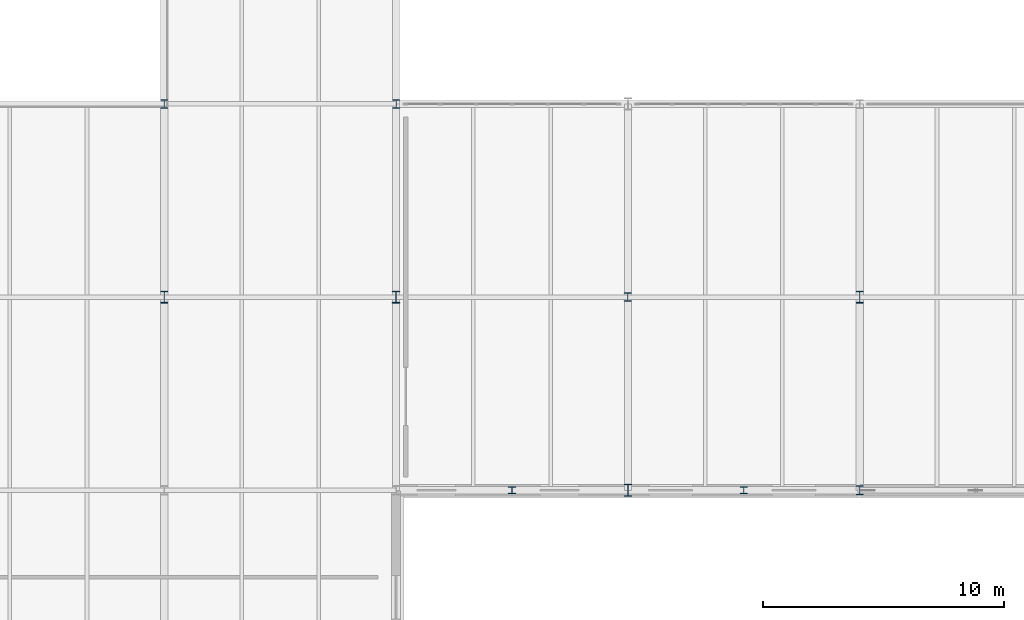
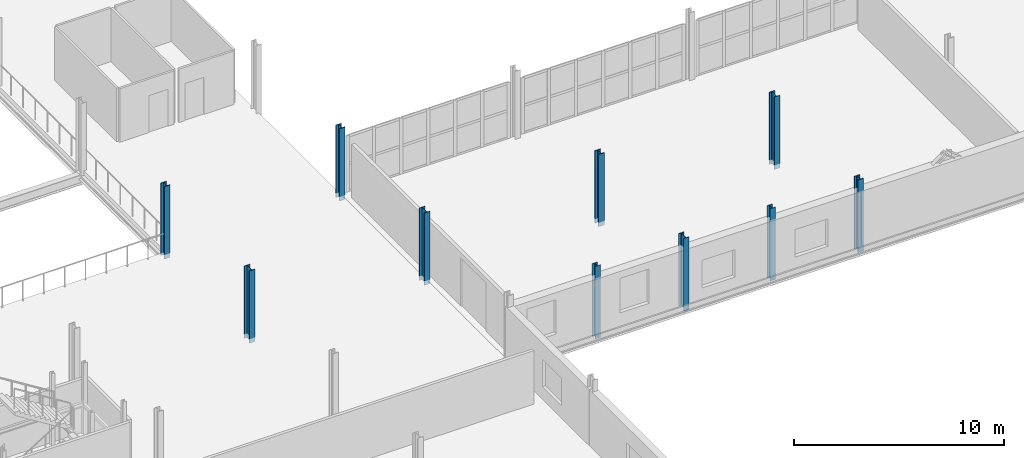
# One storey, part 9 of 78: 10 columns.
"""IFC4 building model written with IfcOpenShell, lengths in metres."""

from ifc_helpers import new_model, si_unit, direction, frame, origin, origin_2d, place, context, subcontext, project, spatial, i_section, extrude, material, material_profile, profile_set, type_object, element, save


model = new_model("IFC4")

# Units and contexts
model_context = context("Model", 3, precision=1e-05, world=origin(), true_north=direction((0.0, 1.0)))
body_context = subcontext(model_context, "Body", "Model", "MODEL_VIEW")
ifc_project = project(units=[si_unit("LENGTHUNIT", "METRE"), si_unit("AREAUNIT", "SQUARE_METRE"), si_unit("VOLUMEUNIT", "CUBIC_METRE"), si_unit("PLANEANGLEUNIT", "RADIAN"), si_unit("MASSUNIT", "GRAM", prefix="KILO")], contexts=[model_context])

# Site, building, storey
site_placement = place(None, origin())
site = spatial("IfcSite", under=ifc_project, at=site_placement, CompositionType="ELEMENT")
building_placement = place(site_placement, origin())
building = spatial("IfcBuilding", under=site, at=building_placement, Name="Alderhovde Museum", CompositionType="ELEMENT")
storey_placement = place(building_placement, frame((0.0, 0.0, 4.5)))
storey = spatial("IfcBuildingStorey", under=building, at=storey_placement, Name="L01", CompositionType="ELEMENT", Elevation=4.5)

# Columns
ifc_material_1 = material(Name="Steel S355J2", Category="steel")
ifc_material_profile_1 = material_profile(ifc_material_1, i_section(OverallWidth=0.300048828125, OverallDepth=0.5, WebThickness=0.014404296875, FlangeThickness=0.028076171875, FilletRadius=0.027099609375, at=origin_2d()), Name="HEB 500")
ifc_profile_set_1 = profile_set([ifc_material_profile_1], Name="Steel S355J2")
column_type_1 = type_object("IfcColumnType", Name="COL-HEB500", PredefinedType="COLUMN", material=ifc_profile_set_1)
for number, where, z_axis, x_axis, name in (
    (1, (105.60009765625, 40.0, -0.260009765625), (0.0, 0.0, 1.0), (1.0, 0.0, 0.0), "L01 Column (105.6, 40.0)"),
    (2, (115.199951171875, 40.0, -0.260009765625), (0.0, 0.0, 1.0), (1.0, 0.0, 0.0), "L01 Column (115.2, 40.0)"),
    (3, (124.800048828125, 32.0, -0.260009765625), (0.0, 0.0, 1.0), (1.0, 0.0, 0.0), "L01 Column (124.8, 32.0)"),
    (4, (134.39990234375, 40.0, -0.260009765625), (0.0, 0.0, 1.0), (1.0, 0.0, 0.0), "L01 Column (134.4, 40.0)"),
):
    element("IfcColumn", number, at=place(storey_placement, frame(where, z_axis=z_axis, x_axis=x_axis)), inside=storey, type_object=column_type_1, Name=name, PredefinedType="COLUMN", context=body_context, shape_type="SweptSolid", body=[
        extrude(i_section(OverallWidth=0.300048828125, OverallDepth=0.5, WebThickness=0.014404296875, FlangeThickness=0.028076171875, FilletRadius=0.027099609375, at=origin_2d()), origin(), (0.0, 0.0, 1.0), 4.199951171875),
    ])
ifc_material_2 = material(Name="Steel S355J2", Category="steel")
ifc_material_profile_2 = material_profile(ifc_material_2, i_section(OverallWidth=0.30908203125, OverallDepth=0.376953125, WebThickness=0.02099609375, FlangeThickness=0.0400390625, FilletRadius=0.027099609375, at=origin_2d()), Name="HEM 340")
ifc_profile_set_2 = profile_set([ifc_material_profile_2], Name="Steel S355J2")
column_type_2 = type_object("IfcColumnType", Name="COL-HEM340", PredefinedType="COLUMN", material=ifc_profile_set_2)
for number, where, z_axis, x_axis, name in (
    (5, (105.60009765625, 48.0, -0.260009765625), (0.0, 0.0, 1.0), (1.0, 0.0, 0.0), "L01 Column (105.6, 48.0)"),
    (6, (115.199951171875, 48.0, -0.260009765625), (0.0, 0.0, 1.0), (1.0, 0.0, 0.0), "L01 Column (115.2, 48.0)"),
    (7, (124.800048828125, 40.0, -0.260009765625), (0.0, 0.0, 1.0), (1.0, 0.0, 0.0), "L01 Column (124.8, 40.0)"),
    (8, (134.39990234375, 32.0, -0.260009765625), (0.0, 0.0, 1.0), (1.0, 0.0, 0.0), "L01 Column (134.4, 32.0)"),
):
    element("IfcColumn", number, at=place(storey_placement, frame(where, z_axis=z_axis, x_axis=x_axis)), inside=storey, type_object=column_type_2, Name=name, PredefinedType="COLUMN", context=body_context, shape_type="SweptSolid", body=[
        extrude(i_section(OverallWidth=0.30908203125, OverallDepth=0.376953125, WebThickness=0.02099609375, FlangeThickness=0.0400390625, FilletRadius=0.027099609375, at=origin_2d()), origin(), (0.0, 0.0, 1.0), 4.199951171875),
    ])
ifc_material_3 = material(Name="Steel S355J2", Category="steel")
ifc_material_profile_3 = material_profile(ifc_material_3, i_section(OverallWidth=0.300048828125, OverallDepth=0.2900390625, WebThickness=0.008544921875, FlangeThickness=0.013916015625, FilletRadius=0.027099609375, at=origin_2d()), Name="HEA 300")
ifc_profile_set_3 = profile_set([ifc_material_profile_3], Name="Steel S355J2")
column_type_3 = type_object("IfcColumnType", Name="PIL-HEA300", PredefinedType="PILASTER", material=ifc_profile_set_3)
for number, where, z_axis, x_axis, name in (
    (9, (120.0, 32.0, -0.260009765625), (0.0, 0.0, 1.0), (1.0, 0.0, 0.0), "L01 Structural Pilaster (120.0, 32.0)"),
    (10, (129.60009765625, 32.0, -0.260009765625), (0.0, 0.0, 1.0), (1.0, 0.0, 0.0), "L01 Structural Pilaster (129.6, 32.0)"),
):
    element("IfcColumn", number, at=place(storey_placement, frame(where, z_axis=z_axis, x_axis=x_axis)), inside=storey, type_object=column_type_3, Name=name, PredefinedType="PILASTER", context=body_context, shape_type="SweptSolid", body=[
        extrude(i_section(OverallWidth=0.300048828125, OverallDepth=0.2900390625, WebThickness=0.008544921875, FlangeThickness=0.013916015625, FilletRadius=0.027099609375, at=origin_2d()), origin(), (0.0, 0.0, 1.0), 4.199951171875),
    ])

save(model, "model.ifc")
